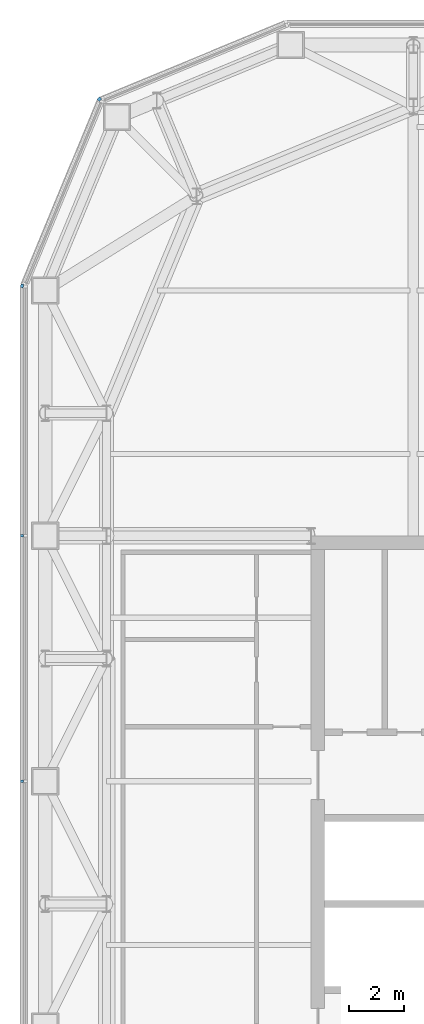
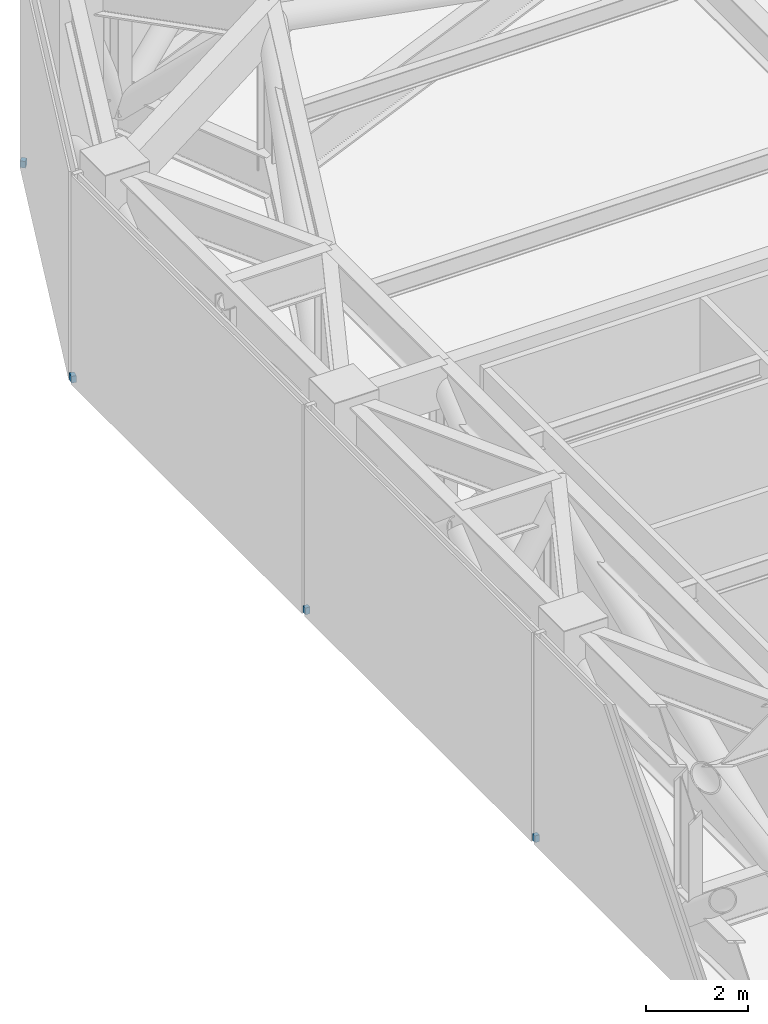
# One storey, part 23 of 33: 4 discrete accessories.
"""IFC4 building model written with IfcOpenShell, lengths in metres."""

from ifc_helpers import new_model, si_unit, direction, frame, origin, origin_2d, place, context, subcontext, project, spatial, rectangle, extrude, material, type_object, element, save


model = new_model("IFC4")

# Units and contexts
model_context = context("Model", 3, precision=1e-05, world=origin(), true_north=direction((0.0, 1.0)))
body_context = subcontext(model_context, "Body", "Model", "MODEL_VIEW")
ifc_project = project(units=[si_unit("LENGTHUNIT", "METRE"), si_unit("AREAUNIT", "SQUARE_METRE"), si_unit("VOLUMEUNIT", "CUBIC_METRE"), si_unit("PLANEANGLEUNIT", "RADIAN"), si_unit("MASSUNIT", "GRAM", prefix="KILO")], contexts=[model_context])

# Site, building, storey
site_placement = place(None, origin())
site = spatial("IfcSite", under=ifc_project, at=site_placement, CompositionType="ELEMENT")
building_placement = place(site_placement, origin())
building = spatial("IfcBuilding", under=site, at=building_placement, Name="Siwar Civic Tower", CompositionType="ELEMENT")
storey_placement = place(building_placement, frame((0.0, 0.0, 94.199951171875)))
storey = spatial("IfcBuildingStorey", under=building, at=storey_placement, Name="L20", CompositionType="ELEMENT", Elevation=94.199951171875)

# Discrete accessories
ifc_material = material(Name="Stainless steel 316", Category="steel")
discrete_accessory_type = type_object("IfcDiscreteAccessoryType", Name="ENV-BRACKET", PredefinedType="BRACKET", material=ifc_material)
discrete_accessory_1_placement = place(storey_placement, frame((-29.514404296875, 29.514404296875, -0.1796875), z_axis=(0.0, 0.0, 1.0), x_axis=(-0.707106781187, 0.707106781187, 0.0)))
element("IfcDiscreteAccessory", 1, at=discrete_accessory_1_placement, inside=storey, type_object=discrete_accessory_type, Name="Bracket outer skin joint V08", PredefinedType="BRACKET", context=body_context, shape_type="SweptSolid", body=[
    extrude(rectangle(XDim=0.108154296875, YDim=0.12939453125, at=origin_2d()), origin(), (0.0, 0.0, 1.0), 0.159912109375),
])
discrete_accessory_2_placement = place(storey_placement, frame((-32.35009765625, 22.669189453125, -0.1796875), z_axis=(0.0, 0.0, 1.0), x_axis=(-0.980785280403, 0.195090322016, 0.0)))
element("IfcDiscreteAccessory", 2, at=discrete_accessory_2_placement, inside=storey, type_object=discrete_accessory_type, Name="Bracket outer skin joint V09", PredefinedType="BRACKET", context=body_context, shape_type="SweptSolid", body=[
    extrude(rectangle(XDim=0.10205078125, YDim=0.13720703125, at=origin_2d()), origin(), (0.0, 0.0, 1.0), 0.159912109375),
])
for number, where, z_axis, x_axis, name in (
    (3, (-32.35009765625, 13.5, -0.1796875), (0.0, 0.0, 1.0), (-1.0, 0.0, 0.0), "Bracket outer skin joint W-01"),
    (4, (-32.35009765625, 4.5, -0.1796875), (0.0, 0.0, 1.0), (-1.0, 0.0, 0.0), "Bracket outer skin joint W-02"),
):
    element("IfcDiscreteAccessory", number, at=place(storey_placement, frame(where, z_axis=z_axis, x_axis=x_axis)), inside=storey, type_object=discrete_accessory_type, Name=name, PredefinedType="BRACKET", context=body_context, shape_type="SweptSolid", body=[
        extrude(rectangle(XDim=0.10009765625, YDim=0.10009765625, at=origin_2d()), origin(), (0.0, 0.0, 1.0), 0.159912109375),
    ])

save(model, "model.ifc")
